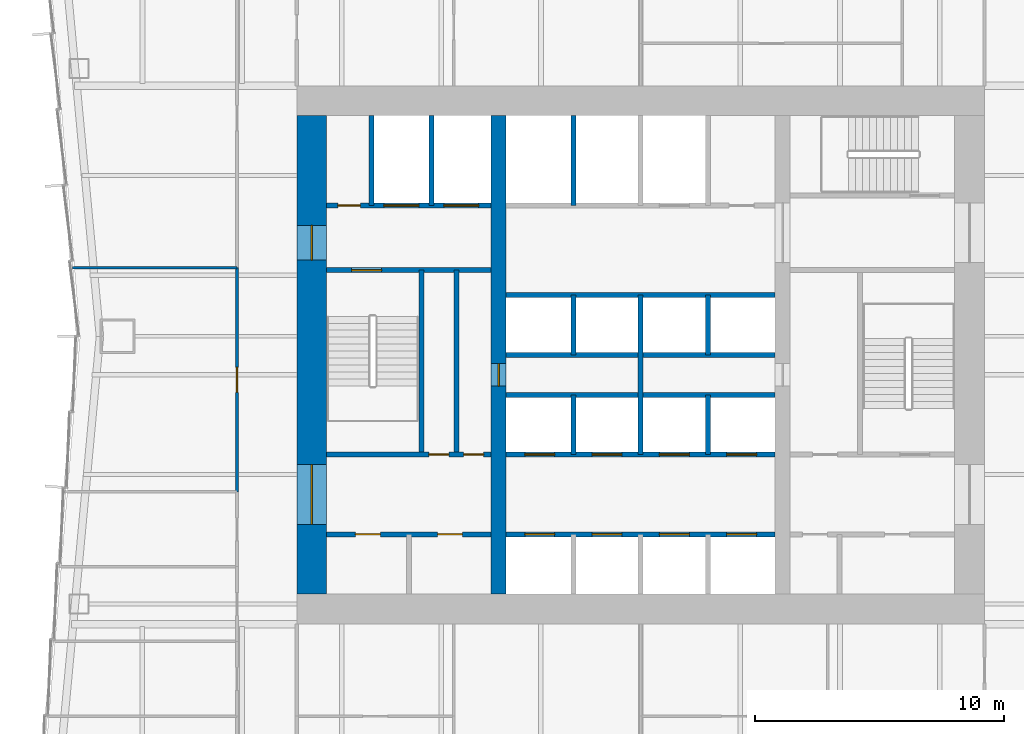
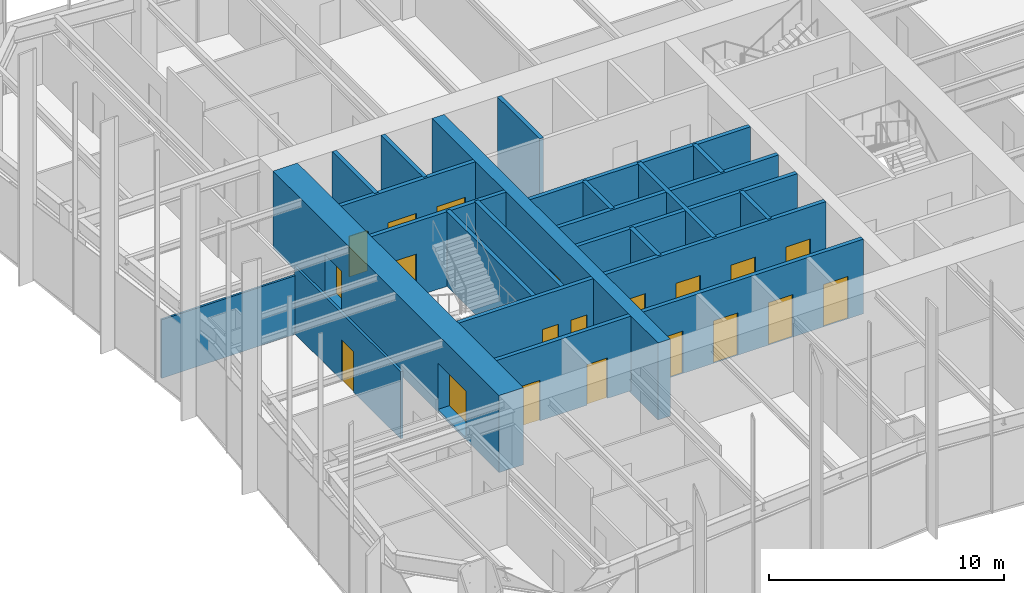
# One storey, part 9 of 13: 23 walls, 20 doors, 20 openings.
"""IFC4 building model written with IfcOpenShell, lengths in metres."""

from ifc_helpers import new_model, si_unit, direction, frame, frame_2d, origin, place, context, subcontext, project, spatial, rectangle, extrude, material, layer, layer_set, type_object, element, fill, save


model = new_model("IFC4")

# Units and contexts
model_context = context("Model", 3, precision=1e-05, world=origin(), true_north=direction((0.0, 1.0)))
body_context = subcontext(model_context, "Body", "Model", "MODEL_VIEW")
ifc_project = project(units=[si_unit("LENGTHUNIT", "METRE"), si_unit("AREAUNIT", "SQUARE_METRE"), si_unit("VOLUMEUNIT", "CUBIC_METRE"), si_unit("PLANEANGLEUNIT", "RADIAN"), si_unit("MASSUNIT", "GRAM", prefix="KILO")], contexts=[model_context])

# Site, building, storey
site_placement = place(None, origin())
site = spatial("IfcSite", under=ifc_project, at=site_placement, CompositionType="ELEMENT")
building_placement = place(site_placement, origin())
building = spatial("IfcBuilding", under=site, at=building_placement, Name="Verdant Reach Tower", CompositionType="ELEMENT")
storey_placement = place(building_placement, frame((0.0, 0.0, 94.0)))
storey = spatial("IfcBuildingStorey", under=building, at=storey_placement, Name="L21", CompositionType="ELEMENT", Elevation=94.0)

# Wall, openings, doors
ifc_material_1 = material(Name="Gypsum board on steel studs", Category="steel")
ifc_layer_1 = layer(ifc_material_1, 0.199951171875)
ifc_layer_set_1 = layer_set([ifc_layer_1], Name="CO-WALL-ROOM")
wall_type_1 = type_object("IfcWallType", Name="CO-WALL-ROOM", PredefinedType="PARTITIONING", material=ifc_layer_set_1)
wall_1_placement = place(storey_placement, frame((-12.60009765625, 20.800048828125, 0.0), z_axis=(0.0, 0.0, 1.0), x_axis=(1.0, 0.0, 0.0)))
wall_1 = element("IfcWall", 1, at=wall_1_placement, inside=storey, type_object=wall_type_1, Name="Core partition, L21", PredefinedType="PARTITIONING", context=body_context, shape_type="SweptSolid", body=[
    extrude(rectangle(XDim=6.60009765625, YDim=0.199951171875, at=frame_2d((3.300048828125, 0.0))), origin(), (0.0, 0.0, 1.0), 3.8701171875),
])
opening_1_placement = place(wall_1_placement, frame((1.14990234375, 0.0, 0.0)))
opening_1 = element("IfcOpeningElement", 2, at=opening_1_placement, cuts=wall_1, Name="Opening CD", PredefinedType="OPENING", context=body_context, shape_type="SweptSolid", body=[
    extrude(rectangle(XDim=1.0, YDim=2.10009765625, at=frame_2d((0.5, 1.050048828125))), frame((0.0, 0.10986328125, 0.0), z_axis=(0.0, -1.0, 0.0), x_axis=(1.0, 0.0, 0.0)), (0.0, 0.0, 1.0), 0.219970703125),
])
opening_2_placement = place(wall_1_placement, frame((4.449951171875, 0.0, 0.0)))
opening_2 = element("IfcOpeningElement", 3, at=opening_2_placement, cuts=wall_1, Name="Opening CD", PredefinedType="OPENING", context=body_context, shape_type="SweptSolid", body=[
    extrude(rectangle(XDim=1.0, YDim=2.10009765625, at=frame_2d((0.5, 1.050048828125))), frame((0.0, 0.10986328125, 0.0), z_axis=(0.0, -1.0, 0.0), x_axis=(1.0, 0.0, 0.0)), (0.0, 0.0, 1.0), 0.219970703125),
])
ifc_material_2 = material(Name="Timber", Category="wood")
door_type_1 = type_object("IfcDoorType", Name="CO-DOOR-ROOM", OperationType="NOTDEFINED", PredefinedType="DOOR", material=ifc_material_2)
door_1_placement = place(opening_1_placement, origin())
door_1 = element("IfcDoor", 4, at=door_1_placement, inside=storey, type_object=door_type_1, Name="Core room door, L21", OperationType="SINGLE_SWING_LEFT", OverallHeight=2.10009765625, OverallWidth=1.0, PredefinedType="DOOR", context=body_context, shape_type="SweptSolid", body=[
    extrude(rectangle(XDim=1.0, YDim=2.10009765625, at=frame_2d((0.5, 1.050048828125))), frame((0.0, 0.02490234375, 0.0), z_axis=(0.0, -1.0, 0.0), x_axis=(1.0, 0.0, 0.0)), (0.0, 0.0, 1.0), 0.050048828125),
])
fill(opening_1, door_1)
door_2_placement = place(opening_2_placement, origin())
door_2 = element("IfcDoor", 5, at=door_2_placement, inside=storey, type_object=door_type_1, Name="Core room door, L21", OperationType="SINGLE_SWING_LEFT", OverallHeight=2.10009765625, OverallWidth=1.0, PredefinedType="DOOR", context=body_context, shape_type="SweptSolid", body=[
    extrude(rectangle(XDim=1.0, YDim=2.10009765625, at=frame_2d((0.5, 1.050048828125))), frame((0.0, 0.02490234375, 0.0), z_axis=(0.0, -1.0, 0.0), x_axis=(1.0, 0.0, 0.0)), (0.0, 0.0, 1.0), 0.050048828125),
])
fill(opening_2, door_2)

# Wall
wall_2_placement = place(storey_placement, frame((-7.39990234375, 24.0, 0.0), z_axis=(0.0, 0.0, 1.0), x_axis=(0.0, 1.0, 0.0)))
element("IfcWall", 6, at=wall_2_placement, inside=storey, type_object=wall_type_1, Name="Core partition, L21", PredefinedType="PARTITIONING", context=body_context, shape_type="SweptSolid", body=[
    extrude(rectangle(XDim=7.39990234375, YDim=0.199951171875, at=frame_2d((3.699951171875, 0.0))), origin(), (0.0, 0.0, 1.0), 3.8701171875),
])

# Wall, openings, doors
ifc_material_3 = material(Name="Concrete C40/50", Category="concrete")
ifc_layer_2 = layer(ifc_material_3, 0.199951171875)
ifc_layer_set_2 = layer_set([ifc_layer_2], Name="CO-WALL-SHAFT")
wall_type_2 = type_object("IfcWallType", Name="CO-WALL-SHAFT", PredefinedType="PARTITIONING", material=ifc_layer_set_2)
wall_3_placement = place(storey_placement, frame((-5.39990234375, 20.800048828125, 0.0), z_axis=(0.0, 0.0, 1.0), x_axis=(1.0, 0.0, 0.0)))
wall_3 = element("IfcWall", 7, at=wall_3_placement, inside=storey, type_object=wall_type_2, Name="Lift shaft wall, L21", PredefinedType="PARTITIONING", context=body_context, shape_type="SweptSolid", body=[
    extrude(rectangle(XDim=10.7998046875, YDim=0.199951171875, at=frame_2d((5.39990234375, 0.0))), origin(), (0.0, 0.0, 1.0), 3.8701171875),
])
opening_3_placement = place(wall_3_placement, frame((0.75, 0.0, 0.0)))
opening_3 = element("IfcOpeningElement", 8, at=opening_3_placement, cuts=wall_3, Name="Opening LD-A1", PredefinedType="OPENING", context=body_context, shape_type="SweptSolid", body=[
    extrude(rectangle(XDim=1.199951171875, YDim=2.199951171875, at=frame_2d((0.60009765625, 1.10009765625))), frame((0.0, 0.10986328125, 0.0), z_axis=(0.0, -1.0, 0.0), x_axis=(1.0, 0.0, 0.0)), (0.0, 0.0, 1.0), 0.219970703125),
])
opening_4_placement = place(wall_3_placement, frame((3.449951171875, 0.0, 0.0)))
opening_4 = element("IfcOpeningElement", 9, at=opening_4_placement, cuts=wall_3, Name="Opening LD-A2", PredefinedType="OPENING", context=body_context, shape_type="SweptSolid", body=[
    extrude(rectangle(XDim=1.199951171875, YDim=2.199951171875, at=frame_2d((0.60009765625, 1.10009765625))), frame((0.0, 0.10986328125, 0.0), z_axis=(0.0, -1.0, 0.0), x_axis=(1.0, 0.0, 0.0)), (0.0, 0.0, 1.0), 0.219970703125),
])
opening_5_placement = place(wall_3_placement, frame((6.14990234375, 0.0, 0.0)))
opening_5 = element("IfcOpeningElement", 10, at=opening_5_placement, cuts=wall_3, Name="Opening LD-A3", PredefinedType="OPENING", context=body_context, shape_type="SweptSolid", body=[
    extrude(rectangle(XDim=1.199951171875, YDim=2.199951171875, at=frame_2d((0.60009765625, 1.10009765625))), frame((0.0, 0.10986328125, 0.0), z_axis=(0.0, -1.0, 0.0), x_axis=(1.0, 0.0, 0.0)), (0.0, 0.0, 1.0), 0.219970703125),
])
opening_6_placement = place(wall_3_placement, frame((8.85009765625, 0.0, 0.0)))
opening_6 = element("IfcOpeningElement", 11, at=opening_6_placement, cuts=wall_3, Name="Opening LD-A4", PredefinedType="OPENING", context=body_context, shape_type="SweptSolid", body=[
    extrude(rectangle(XDim=1.199951171875, YDim=2.199951171875, at=frame_2d((0.60009765625, 1.10009765625))), frame((0.0, 0.10986328125, 0.0), z_axis=(0.0, -1.0, 0.0), x_axis=(1.0, 0.0, 0.0)), (0.0, 0.0, 1.0), 0.219970703125),
])
ifc_material_4 = material(Name="Stainless steel", Category="steel")
door_type_2 = type_object("IfcDoorType", Name="CO-DOOR-LANDING", OperationType="SLIDING_TO_LEFT", PredefinedType="DOOR", material=ifc_material_4)
door_3_placement = place(opening_3_placement, origin())
door_3 = element("IfcDoor", 12, at=door_3_placement, inside=storey, type_object=door_type_2, Name="Landing door A1, L21", OperationType="SLIDING_TO_LEFT", OverallHeight=2.199951171875, OverallWidth=1.199951171875, PredefinedType="DOOR", context=body_context, shape_type="SweptSolid", body=[
    extrude(rectangle(XDim=1.199951171875, YDim=2.199951171875, at=frame_2d((0.60009765625, 1.10009765625))), frame((0.0, 0.02490234375, 0.0), z_axis=(0.0, -1.0, 0.0), x_axis=(1.0, 0.0, 0.0)), (0.0, 0.0, 1.0), 0.050048828125),
])
fill(opening_3, door_3)
door_4_placement = place(opening_4_placement, origin())
door_4 = element("IfcDoor", 13, at=door_4_placement, inside=storey, type_object=door_type_2, Name="Landing door A2, L21", OperationType="SLIDING_TO_LEFT", OverallHeight=2.199951171875, OverallWidth=1.199951171875, PredefinedType="DOOR", context=body_context, shape_type="SweptSolid", body=[
    extrude(rectangle(XDim=1.199951171875, YDim=2.199951171875, at=frame_2d((0.60009765625, 1.10009765625))), frame((0.0, 0.02490234375, 0.0), z_axis=(0.0, -1.0, 0.0), x_axis=(1.0, 0.0, 0.0)), (0.0, 0.0, 1.0), 0.050048828125),
])
fill(opening_4, door_4)
door_5_placement = place(opening_5_placement, origin())
door_5 = element("IfcDoor", 14, at=door_5_placement, inside=storey, type_object=door_type_2, Name="Landing door A3, L21", OperationType="SLIDING_TO_LEFT", OverallHeight=2.199951171875, OverallWidth=1.199951171875, PredefinedType="DOOR", context=body_context, shape_type="SweptSolid", body=[
    extrude(rectangle(XDim=1.199951171875, YDim=2.199951171875, at=frame_2d((0.60009765625, 1.10009765625))), frame((0.0, 0.02490234375, 0.0), z_axis=(0.0, -1.0, 0.0), x_axis=(1.0, 0.0, 0.0)), (0.0, 0.0, 1.0), 0.050048828125),
])
fill(opening_5, door_5)
door_6_placement = place(opening_6_placement, origin())
door_6 = element("IfcDoor", 15, at=door_6_placement, inside=storey, type_object=door_type_2, Name="Landing door A4, L21", OperationType="SLIDING_TO_LEFT", OverallHeight=2.199951171875, OverallWidth=1.199951171875, PredefinedType="DOOR", context=body_context, shape_type="SweptSolid", body=[
    extrude(rectangle(XDim=1.199951171875, YDim=2.199951171875, at=frame_2d((0.60009765625, 1.10009765625))), frame((0.0, 0.02490234375, 0.0), z_axis=(0.0, -1.0, 0.0), x_axis=(1.0, 0.0, 0.0)), (0.0, 0.0, 1.0), 0.050048828125),
])
fill(opening_6, door_6)

wall_4_placement = place(storey_placement, frame((-5.39990234375, 24.0, 0.0), z_axis=(0.0, 0.0, 1.0), x_axis=(1.0, 0.0, 0.0)))
wall_4 = element("IfcWall", 16, at=wall_4_placement, inside=storey, type_object=wall_type_2, Name="Lift shaft wall, L21", PredefinedType="PARTITIONING", context=body_context, shape_type="SweptSolid", body=[
    extrude(rectangle(XDim=10.7998046875, YDim=0.199951171875, at=frame_2d((5.39990234375, 0.0))), origin(), (0.0, 0.0, 1.0), 3.8701171875),
])
opening_7_placement = place(wall_4_placement, frame((0.75, 0.0, 0.0)))
opening_7 = element("IfcOpeningElement", 17, at=opening_7_placement, cuts=wall_4, Name="Opening LD-A5", PredefinedType="OPENING", context=body_context, shape_type="SweptSolid", body=[
    extrude(rectangle(XDim=1.199951171875, YDim=2.199951171875, at=frame_2d((0.60009765625, 1.10009765625))), frame((0.0, 0.10986328125, 0.0), z_axis=(0.0, -1.0, 0.0), x_axis=(1.0, 0.0, 0.0)), (0.0, 0.0, 1.0), 0.219970703125),
])
opening_8_placement = place(wall_4_placement, frame((3.449951171875, 0.0, 0.0)))
opening_8 = element("IfcOpeningElement", 18, at=opening_8_placement, cuts=wall_4, Name="Opening LD-A6", PredefinedType="OPENING", context=body_context, shape_type="SweptSolid", body=[
    extrude(rectangle(XDim=1.199951171875, YDim=2.199951171875, at=frame_2d((0.60009765625, 1.10009765625))), frame((0.0, 0.10986328125, 0.0), z_axis=(0.0, -1.0, 0.0), x_axis=(1.0, 0.0, 0.0)), (0.0, 0.0, 1.0), 0.219970703125),
])
opening_9_placement = place(wall_4_placement, frame((6.14990234375, 0.0, 0.0)))
opening_9 = element("IfcOpeningElement", 19, at=opening_9_placement, cuts=wall_4, Name="Opening LD-A7", PredefinedType="OPENING", context=body_context, shape_type="SweptSolid", body=[
    extrude(rectangle(XDim=1.199951171875, YDim=2.199951171875, at=frame_2d((0.60009765625, 1.10009765625))), frame((0.0, 0.10986328125, 0.0), z_axis=(0.0, -1.0, 0.0), x_axis=(1.0, 0.0, 0.0)), (0.0, 0.0, 1.0), 0.219970703125),
])
opening_10_placement = place(wall_4_placement, frame((8.85009765625, 0.0, 0.0)))
opening_10 = element("IfcOpeningElement", 20, at=opening_10_placement, cuts=wall_4, Name="Opening LD-A8", PredefinedType="OPENING", context=body_context, shape_type="SweptSolid", body=[
    extrude(rectangle(XDim=1.199951171875, YDim=2.199951171875, at=frame_2d((0.60009765625, 1.10009765625))), frame((0.0, 0.10986328125, 0.0), z_axis=(0.0, -1.0, 0.0), x_axis=(1.0, 0.0, 0.0)), (0.0, 0.0, 1.0), 0.219970703125),
])
door_7_placement = place(opening_7_placement, origin())
door_7 = element("IfcDoor", 21, at=door_7_placement, inside=storey, type_object=door_type_2, Name="Landing door A5, L21", OperationType="SLIDING_TO_LEFT", OverallHeight=2.199951171875, OverallWidth=1.199951171875, PredefinedType="DOOR", context=body_context, shape_type="SweptSolid", body=[
    extrude(rectangle(XDim=1.199951171875, YDim=2.199951171875, at=frame_2d((0.60009765625, 1.10009765625))), frame((0.0, 0.02490234375, 0.0), z_axis=(0.0, -1.0, 0.0), x_axis=(1.0, 0.0, 0.0)), (0.0, 0.0, 1.0), 0.050048828125),
])
fill(opening_7, door_7)
door_8_placement = place(opening_8_placement, origin())
door_8 = element("IfcDoor", 22, at=door_8_placement, inside=storey, type_object=door_type_2, Name="Landing door A6, L21", OperationType="SLIDING_TO_LEFT", OverallHeight=2.199951171875, OverallWidth=1.199951171875, PredefinedType="DOOR", context=body_context, shape_type="SweptSolid", body=[
    extrude(rectangle(XDim=1.199951171875, YDim=2.199951171875, at=frame_2d((0.60009765625, 1.10009765625))), frame((0.0, 0.02490234375, 0.0), z_axis=(0.0, -1.0, 0.0), x_axis=(1.0, 0.0, 0.0)), (0.0, 0.0, 1.0), 0.050048828125),
])
fill(opening_8, door_8)
door_9_placement = place(opening_9_placement, origin())
door_9 = element("IfcDoor", 23, at=door_9_placement, inside=storey, type_object=door_type_2, Name="Landing door A7, L21", OperationType="SLIDING_TO_LEFT", OverallHeight=2.199951171875, OverallWidth=1.199951171875, PredefinedType="DOOR", context=body_context, shape_type="SweptSolid", body=[
    extrude(rectangle(XDim=1.199951171875, YDim=2.199951171875, at=frame_2d((0.60009765625, 1.10009765625))), frame((0.0, 0.02490234375, 0.0), z_axis=(0.0, -1.0, 0.0), x_axis=(1.0, 0.0, 0.0)), (0.0, 0.0, 1.0), 0.050048828125),
])
fill(opening_9, door_9)
door_10_placement = place(opening_10_placement, origin())
door_10 = element("IfcDoor", 24, at=door_10_placement, inside=storey, type_object=door_type_2, Name="Landing door A8, L21", OperationType="SLIDING_TO_LEFT", OverallHeight=2.199951171875, OverallWidth=1.199951171875, PredefinedType="DOOR", context=body_context, shape_type="SweptSolid", body=[
    extrude(rectangle(XDim=1.199951171875, YDim=2.199951171875, at=frame_2d((0.60009765625, 1.10009765625))), frame((0.0, 0.02490234375, 0.0), z_axis=(0.0, -1.0, 0.0), x_axis=(1.0, 0.0, 0.0)), (0.0, 0.0, 1.0), 0.050048828125),
])
fill(opening_10, door_10)

# Walls
for number, where, z_axis, x_axis, name in (
    (25, (-5.39990234375, 26.39990234375, 0.0), (0.0, 0.0, 1.0), (1.0, 0.0, 0.0), "Lift shaft wall, L21"),
    (26, (-5.39990234375, 28.0, 0.0), (0.0, 0.0, 1.0), (1.0, 0.0, 0.0), "Lift shaft wall, L21"),
    (27, (-5.39990234375, 30.39990234375, 0.0), (0.0, 0.0, 1.0), (1.0, 0.0, 0.0), "Lift shaft wall, L21"),
):
    element("IfcWall", number, at=place(storey_placement, frame(where, z_axis=z_axis, x_axis=x_axis)), inside=storey, type_object=wall_type_2, Name=name, PredefinedType="PARTITIONING", context=body_context, shape_type="SweptSolid", body=[
        extrude(rectangle(XDim=10.7998046875, YDim=0.199951171875, at=frame_2d((5.39990234375, 0.0))), origin(), (0.0, 0.0, 1.0), 3.8701171875),
    ])

# Wall, openings, doors
wall_5_placement = place(storey_placement, frame((-12.60009765625, 34.0, 0.0), z_axis=(0.0, 0.0, 1.0), x_axis=(1.0, 0.0, 0.0)))
wall_5 = element("IfcWall", 28, at=wall_5_placement, inside=storey, type_object=wall_type_2, Name="Lift shaft wall, L21", PredefinedType="PARTITIONING", context=body_context, shape_type="SweptSolid", body=[
    extrude(rectangle(XDim=6.60009765625, YDim=0.199951171875, at=frame_2d((3.300048828125, 0.0))), origin(), (0.0, 0.0, 1.0), 3.8701171875),
])
opening_11_placement = place(wall_5_placement, frame((4.699951171875, 0.0, 0.0)))
opening_11 = element("IfcOpeningElement", 29, at=opening_11_placement, cuts=wall_5, Name="Opening LD-F1", PredefinedType="OPENING", context=body_context, shape_type="SweptSolid", body=[
    extrude(rectangle(XDim=1.39990234375, YDim=2.199951171875, at=frame_2d((0.699951171875, 1.10009765625))), frame((0.0, 0.10986328125, 0.0), z_axis=(0.0, -1.0, 0.0), x_axis=(1.0, 0.0, 0.0)), (0.0, 0.0, 1.0), 0.219970703125),
])
opening_12_placement = place(wall_5_placement, frame((2.300048828125, 0.0, 0.0)))
opening_12 = element("IfcOpeningElement", 30, at=opening_12_placement, cuts=wall_5, Name="Opening LD-F2", PredefinedType="OPENING", context=body_context, shape_type="SweptSolid", body=[
    extrude(rectangle(XDim=1.39990234375, YDim=2.199951171875, at=frame_2d((0.699951171875, 1.10009765625))), frame((0.0, 0.10986328125, 0.0), z_axis=(0.0, -1.0, 0.0), x_axis=(1.0, 0.0, 0.0)), (0.0, 0.0, 1.0), 0.219970703125),
])
opening_13_placement = place(wall_5_placement, frame((0.449951171875, 0.0, 0.0)))
opening_13 = element("IfcOpeningElement", 31, at=opening_13_placement, cuts=wall_5, Name="Opening RD", PredefinedType="OPENING", context=body_context, shape_type="SweptSolid", body=[
    extrude(rectangle(XDim=0.89990234375, YDim=2.10009765625, at=frame_2d((0.449951171875, 1.050048828125))), frame((0.0, 0.10986328125, 0.0), z_axis=(0.0, -1.0, 0.0), x_axis=(1.0, 0.0, 0.0)), (0.0, 0.0, 1.0), 0.219970703125),
])
door_type_3 = type_object("IfcDoorType", Name="CO-DOOR-LANDING-FF", OperationType="SLIDING_TO_LEFT", PredefinedType="DOOR", material=ifc_material_4)
door_11_placement = place(opening_11_placement, origin())
door_11 = element("IfcDoor", 32, at=door_11_placement, inside=storey, type_object=door_type_3, Name="Landing door F1, L21", OperationType="SLIDING_TO_LEFT", OverallHeight=2.199951171875, OverallWidth=1.39990234375, PredefinedType="DOOR", context=body_context, shape_type="SweptSolid", body=[
    extrude(rectangle(XDim=1.39990234375, YDim=2.199951171875, at=frame_2d((0.699951171875, 1.10009765625))), frame((0.0, 0.02490234375, 0.0), z_axis=(0.0, -1.0, 0.0), x_axis=(1.0, 0.0, 0.0)), (0.0, 0.0, 1.0), 0.050048828125),
])
fill(opening_11, door_11)
door_12_placement = place(opening_12_placement, origin())
door_12 = element("IfcDoor", 33, at=door_12_placement, inside=storey, type_object=door_type_3, Name="Landing door F2, L21", OperationType="SLIDING_TO_LEFT", OverallHeight=2.199951171875, OverallWidth=1.39990234375, PredefinedType="DOOR", context=body_context, shape_type="SweptSolid", body=[
    extrude(rectangle(XDim=1.39990234375, YDim=2.199951171875, at=frame_2d((0.699951171875, 1.10009765625))), frame((0.0, 0.02490234375, 0.0), z_axis=(0.0, -1.0, 0.0), x_axis=(1.0, 0.0, 0.0)), (0.0, 0.0, 1.0), 0.050048828125),
])
fill(opening_12, door_12)
ifc_material_5 = material(Name="Steel", Category="steel")
door_type_4 = type_object("IfcDoorType", Name="CO-DOOR-RISER", OperationType="NOTDEFINED", PredefinedType="DOOR", material=ifc_material_5)
door_13_placement = place(opening_13_placement, origin())
door_13 = element("IfcDoor", 34, at=door_13_placement, inside=storey, type_object=door_type_4, Name="Core room door, L21", OperationType="SINGLE_SWING_RIGHT", OverallHeight=2.10009765625, OverallWidth=0.89990234375, PredefinedType="DOOR", context=body_context, shape_type="SweptSolid", body=[
    extrude(rectangle(XDim=0.89990234375, YDim=2.10009765625, at=frame_2d((0.449951171875, 1.050048828125))), frame((0.0, 0.02490234375, 0.0), z_axis=(0.0, -1.0, 0.0), x_axis=(1.0, 0.0, 0.0)), (0.0, 0.0, 1.0), 0.050048828125),
])
fill(opening_13, door_13)

# Walls
for number, where, z_axis, x_axis, name in (
    (35, (-10.800048828125, 34.0, 0.0), (0.0, 0.0, 1.0), (0.0, 1.0, 0.0), "Lift shaft wall, L21"),
    (36, (-8.39990234375, 34.0, 0.0), (0.0, 0.0, 1.0), (0.0, 1.0, 0.0), "Lift shaft wall, L21"),
):
    element("IfcWall", number, at=place(storey_placement, frame(where, z_axis=z_axis, x_axis=x_axis)), inside=storey, type_object=wall_type_2, Name=name, PredefinedType="PARTITIONING", context=body_context, shape_type="SweptSolid", body=[
        extrude(rectangle(XDim=3.60009765625, YDim=0.199951171875, at=frame_2d((1.800048828125, 0.0))), origin(), (0.0, 0.0, 1.0), 3.8701171875),
    ])
for number, where, z_axis, x_axis, name in (
    (37, (-2.699951171875, 24.0, 0.0), (0.0, 0.0, 1.0), (0.0, 1.0, 0.0), "Lift shaft wall, L21"),
    (38, (-2.699951171875, 28.0, 0.0), (0.0, 0.0, 1.0), (0.0, 1.0, 0.0), "Lift shaft wall, L21"),
):
    element("IfcWall", number, at=place(storey_placement, frame(where, z_axis=z_axis, x_axis=x_axis)), inside=storey, type_object=wall_type_2, Name=name, PredefinedType="PARTITIONING", context=body_context, shape_type="SweptSolid", body=[
        extrude(rectangle(XDim=2.39990234375, YDim=0.199951171875, at=frame_2d((1.199951171875, 0.0))), origin(), (0.0, 0.0, 1.0), 3.8701171875),
    ])
wall_6_placement = place(storey_placement, frame((-2.699951171875, 34.0, 0.0), z_axis=(0.0, 0.0, 1.0), x_axis=(0.0, 1.0, 0.0)))
element("IfcWall", 39, at=wall_6_placement, inside=storey, type_object=wall_type_2, Name="Lift shaft wall, L21", PredefinedType="PARTITIONING", context=body_context, shape_type="SweptSolid", body=[
    extrude(rectangle(XDim=3.60009765625, YDim=0.199951171875, at=frame_2d((1.800048828125, 0.0))), origin(), (0.0, 0.0, 1.0), 3.8701171875),
])
wall_7_placement = place(storey_placement, frame((0.0, 24.0, 0.0), z_axis=(0.0, 0.0, 1.0), x_axis=(0.0, 1.0, 0.0)))
element("IfcWall", 40, at=wall_7_placement, inside=storey, type_object=wall_type_2, Name="Lift shaft wall, L21", PredefinedType="PARTITIONING", context=body_context, shape_type="SweptSolid", body=[
    extrude(rectangle(XDim=6.39990234375, YDim=0.199951171875, at=frame_2d((3.199951171875, 0.0))), origin(), (0.0, 0.0, 1.0), 3.8701171875),
])
for number, where, z_axis, x_axis, name in (
    (41, (2.699951171875, 24.0, 0.0), (0.0, 0.0, 1.0), (0.0, 1.0, 0.0), "Lift shaft wall, L21"),
    (42, (2.699951171875, 28.0, 0.0), (0.0, 0.0, 1.0), (0.0, 1.0, 0.0), "Lift shaft wall, L21"),
):
    element("IfcWall", number, at=place(storey_placement, frame(where, z_axis=z_axis, x_axis=x_axis)), inside=storey, type_object=wall_type_2, Name=name, PredefinedType="PARTITIONING", context=body_context, shape_type="SweptSolid", body=[
        extrude(rectangle(XDim=2.39990234375, YDim=0.199951171875, at=frame_2d((1.199951171875, 0.0))), origin(), (0.0, 0.0, 1.0), 3.8701171875),
    ])

# Wall, openings, doors
ifc_layer_3 = layer(ifc_material_3, 0.199951171875)
ifc_layer_set_3 = layer_set([ifc_layer_3], Name="CO-WALL-STAIR")
wall_type_3 = type_object("IfcWallType", Name="CO-WALL-STAIR", PredefinedType="PARTITIONING", material=ifc_layer_set_3)
wall_8_placement = place(storey_placement, frame((-12.60009765625, 24.0, 0.0), z_axis=(0.0, 0.0, 1.0), x_axis=(1.0, 0.0, 0.0)))
wall_8 = element("IfcWall", 43, at=wall_8_placement, inside=storey, type_object=wall_type_3, Name="Stair enclosure wall, L21", PredefinedType="PARTITIONING", context=body_context, shape_type="SweptSolid", body=[
    extrude(rectangle(XDim=6.60009765625, YDim=0.199951171875, at=frame_2d((3.300048828125, 0.0))), origin(), (0.0, 0.0, 1.0), 3.8701171875),
])
opening_14_placement = place(wall_8_placement, frame((4.10009765625, 0.0, 0.0)))
opening_14 = element("IfcOpeningElement", 44, at=opening_14_placement, cuts=wall_8, Name="Opening CDN", PredefinedType="OPENING", context=body_context, shape_type="SweptSolid", body=[
    extrude(rectangle(XDim=0.800048828125, YDim=2.10009765625, at=frame_2d((0.39990234375, 1.050048828125))), frame((0.0, 0.10986328125, 0.0), z_axis=(0.0, -1.0, 0.0), x_axis=(1.0, 0.0, 0.0)), (0.0, 0.0, 1.0), 0.219970703125),
])
opening_15_placement = place(wall_8_placement, frame((5.5, 0.0, 0.0)))
opening_15 = element("IfcOpeningElement", 45, at=opening_15_placement, cuts=wall_8, Name="Opening CDN", PredefinedType="OPENING", context=body_context, shape_type="SweptSolid", body=[
    extrude(rectangle(XDim=0.800048828125, YDim=2.10009765625, at=frame_2d((0.39990234375, 1.050048828125))), frame((0.0, 0.10986328125, 0.0), z_axis=(0.0, -1.0, 0.0), x_axis=(1.0, 0.0, 0.0)), (0.0, 0.0, 1.0), 0.219970703125),
])
door_type_5 = type_object("IfcDoorType", Name="CO-DOOR-ROOM-NARROW", OperationType="NOTDEFINED", PredefinedType="DOOR", material=ifc_material_2)
door_14_placement = place(opening_14_placement, origin())
door_14 = element("IfcDoor", 46, at=door_14_placement, inside=storey, type_object=door_type_5, Name="Core room door, L21", OperationType="SINGLE_SWING_LEFT", OverallHeight=2.10009765625, OverallWidth=0.800048828125, PredefinedType="DOOR", context=body_context, shape_type="SweptSolid", body=[
    extrude(rectangle(XDim=0.800048828125, YDim=2.10009765625, at=frame_2d((0.39990234375, 1.050048828125))), frame((0.0, 0.02490234375, 0.0), z_axis=(0.0, -1.0, 0.0), x_axis=(1.0, 0.0, 0.0)), (0.0, 0.0, 1.0), 0.050048828125),
])
fill(opening_14, door_14)
door_15_placement = place(opening_15_placement, origin())
door_15 = element("IfcDoor", 47, at=door_15_placement, inside=storey, type_object=door_type_5, Name="Core room door, L21", OperationType="SINGLE_SWING_RIGHT", OverallHeight=2.10009765625, OverallWidth=0.800048828125, PredefinedType="DOOR", context=body_context, shape_type="SweptSolid", body=[
    extrude(rectangle(XDim=0.800048828125, YDim=2.10009765625, at=frame_2d((0.39990234375, 1.050048828125))), frame((0.0, 0.02490234375, 0.0), z_axis=(0.0, -1.0, 0.0), x_axis=(1.0, 0.0, 0.0)), (0.0, 0.0, 1.0), 0.050048828125),
])
fill(opening_15, door_15)

# Wall, opening, door
wall_9_placement = place(storey_placement, frame((-12.60009765625, 31.39990234375, 0.0), z_axis=(0.0, 0.0, 1.0), x_axis=(1.0, 0.0, 0.0)))
wall_9 = element("IfcWall", 48, at=wall_9_placement, inside=storey, type_object=wall_type_3, Name="Stair enclosure wall, L21", PredefinedType="PARTITIONING", context=body_context, shape_type="SweptSolid", body=[
    extrude(rectangle(XDim=6.60009765625, YDim=0.199951171875, at=frame_2d((3.300048828125, 0.0))), origin(), (0.0, 0.0, 1.0), 3.8701171875),
])
opening_16_placement = place(wall_9_placement, frame((1.0, 0.0, 0.0)))
opening_16 = element("IfcOpeningElement", 49, at=opening_16_placement, cuts=wall_9, Name="Opening SD", PredefinedType="OPENING", context=body_context, shape_type="SweptSolid", body=[
    extrude(rectangle(XDim=1.199951171875, YDim=2.199951171875, at=frame_2d((0.60009765625, 1.10009765625))), frame((0.0, 0.10986328125, 0.0), z_axis=(0.0, -1.0, 0.0), x_axis=(1.0, 0.0, 0.0)), (0.0, 0.0, 1.0), 0.219970703125),
])
door_type_6 = type_object("IfcDoorType", Name="CO-DOOR-STAIR", OperationType="NOTDEFINED", PredefinedType="DOOR", material=ifc_material_5)
door_16_placement = place(opening_16_placement, origin())
door_16 = element("IfcDoor", 50, at=door_16_placement, inside=storey, type_object=door_type_6, Name="Stair door, L21", OperationType="SINGLE_SWING_RIGHT", OverallHeight=2.199951171875, OverallWidth=1.199951171875, PredefinedType="DOOR", context=body_context, shape_type="SweptSolid", body=[
    extrude(rectangle(XDim=1.199951171875, YDim=2.199951171875, at=frame_2d((0.60009765625, 1.10009765625))), frame((0.0, 0.02490234375, 0.0), z_axis=(0.0, -1.0, 0.0), x_axis=(1.0, 0.0, 0.0)), (0.0, 0.0, 1.0), 0.050048828125),
])
fill(opening_16, door_16)

# Walls
wall_10_placement = place(storey_placement, frame((-8.800048828125, 24.0, 0.0), z_axis=(0.0, 0.0, 1.0), x_axis=(0.0, 1.0, 0.0)))
element("IfcWall", 51, at=wall_10_placement, inside=storey, type_object=wall_type_3, Name="Stair enclosure wall, L21", PredefinedType="PARTITIONING", context=body_context, shape_type="SweptSolid", body=[
    extrude(rectangle(XDim=7.39990234375, YDim=0.199951171875, at=frame_2d((3.699951171875, 0.0))), origin(), (0.0, 0.0, 1.0), 3.8701171875),
])
ifc_layer_4 = layer(ifc_material_1, 0.10009765625)
ifc_layer_set_4 = layer_set([ifc_layer_4], Name="FL-W1 Partition 100")
wall_type_4 = type_object("IfcWallType", Name="FL-W1 Partition 100", PredefinedType="PARTITIONING", material=ifc_layer_set_4)
wall_11_placement = place(storey_placement, frame((-16.199951171875, 31.5, 0.0), z_axis=(0.0, 0.0, 1.0), x_axis=(-1.0, 0.0, 0.0)))
element("IfcWall", 52, at=wall_11_placement, inside=storey, type_object=wall_type_4, Name="Partition 21.29", PredefinedType="PARTITIONING", context=body_context, shape_type="SweptSolid", body=[
    extrude(rectangle(XDim=6.60595703125, YDim=0.10009765625, at=frame_2d((3.302978515625, 0.0))), origin(), (0.0, 0.0, 1.0), 3.0400390625),
])

# Wall, opening, door
ifc_material_6 = material(Name="Gypsum board on steel studs, fire rated", Category="steel")
ifc_layer_5 = layer(ifc_material_6, 0.125)
ifc_layer_set_5 = layer_set([ifc_layer_5], Name="FL-W2 Corridor wall 125")
wall_type_5 = type_object("IfcWallType", Name="FL-W2 Corridor wall 125", PredefinedType="PARTITIONING", material=ifc_layer_set_5)
wall_12_placement = place(storey_placement, frame((-16.199951171875, 22.5, 0.0), z_axis=(0.0, 0.0, 1.0), x_axis=(0.0, 1.0, 0.0)))
wall_12 = element("IfcWall", 53, at=wall_12_placement, inside=storey, type_object=wall_type_5, Name="Partition 21.05", PredefinedType="PARTITIONING", context=body_context, shape_type="SweptSolid", body=[
    extrude(rectangle(XDim=9.0, YDim=0.125, at=frame_2d((4.5, 0.0))), origin(), (0.0, 0.0, 1.0), 3.47998046875),
])
opening_17_placement = place(wall_12_placement, frame((4.0, 0.0, 0.0)))
opening_17 = element("IfcOpeningElement", 54, at=opening_17_placement, cuts=wall_12, Name="Opening D2", PredefinedType="OPENING", context=body_context, shape_type="SweptSolid", body=[
    extrude(rectangle(XDim=1.0, YDim=2.10009765625, at=frame_2d((0.5, 1.050048828125))), frame((0.0, 0.072509765625, 0.0), z_axis=(0.0, -1.0, 0.0), x_axis=(1.0, 0.0, 0.0)), (0.0, 0.0, 1.0), 0.14501953125),
])
ifc_material_7 = material(Name="Timber door leaf, fire rated", Category="wood")
door_type_7 = type_object("IfcDoorType", Name="FL-D2 Entrance door 1000x2100 FD30", OperationType="NOTDEFINED", PredefinedType="DOOR", material=ifc_material_7)
door_17_placement = place(opening_17_placement, origin())
door_17 = element("IfcDoor", 55, at=door_17_placement, inside=storey, type_object=door_type_7, Name="Door 21-005", OperationType="SINGLE_SWING_LEFT", OverallHeight=2.10009765625, OverallWidth=1.0, PredefinedType="DOOR", context=body_context, shape_type="SweptSolid", body=[
    extrude(rectangle(XDim=1.0, YDim=2.10009765625, at=frame_2d((0.5, 1.050048828125))), frame((0.0, 0.02490234375, 0.0), z_axis=(0.0, -1.0, 0.0), x_axis=(1.0, 0.0, 0.0)), (0.0, 0.0, 1.0), 0.050048828125),
])
fill(opening_17, door_17)

# Wall, openings, doors
ifc_material_8 = material(Name="Concrete C70/85", Category="concrete")
ifc_layer_6 = layer(ifc_material_8, 1.199951171875)
ifc_layer_set_6 = layer_set([ifc_layer_6], Name="ST-CORE-WALL-1200")
wall_type_6 = type_object("IfcWallType", Name="ST-CORE-WALL-1200", PredefinedType="SHEAR", material=ifc_layer_set_6)
wall_13_placement = place(storey_placement, frame((-13.199951171875, 18.39990234375, -0.1298828125), z_axis=(0.0, 0.0, 1.0), x_axis=(0.0, 1.0, 0.0)))
wall_13 = element("IfcWall", 56, at=wall_13_placement, inside=storey, type_object=wall_type_6, Name="Core wall W, L21", PredefinedType="SHEAR", context=body_context, shape_type="SweptSolid", body=[
    extrude(rectangle(XDim=19.2001953125, YDim=1.199951171875, at=frame_2d((9.60009765625, 0.0))), origin(), (0.0, 0.0, 1.0), 4.0),
])
opening_18_placement = place(wall_13_placement, frame((2.800048828125, 0.0, 0.1298828125)))
opening_18 = element("IfcOpeningElement", 57, at=opening_18_placement, cuts=wall_13, Name="Opening LB", PredefinedType="OPENING", context=body_context, shape_type="SweptSolid", body=[
    extrude(rectangle(XDim=2.39990234375, YDim=2.39990234375, at=frame_2d((1.199951171875, 1.199951171875))), frame((0.0, 0.60986328125, 0.0), z_axis=(0.0, -1.0, 0.0), x_axis=(1.0, 0.0, 0.0)), (0.0, 0.0, 1.0), 1.219970703125),
])
opening_19_placement = place(wall_13_placement, frame((13.39990234375, 0.0, 0.1298828125)))
opening_19 = element("IfcOpeningElement", 58, at=opening_19_placement, cuts=wall_13, Name="Opening FL", PredefinedType="OPENING", context=body_context, shape_type="SweptSolid", body=[
    extrude(rectangle(XDim=1.39990234375, YDim=2.199951171875, at=frame_2d((0.699951171875, 1.10009765625))), frame((0.0, 0.60986328125, 0.0), z_axis=(0.0, -1.0, 0.0), x_axis=(1.0, 0.0, 0.0)), (0.0, 0.0, 1.0), 1.219970703125),
])
door_type_8 = type_object("IfcDoorType", Name="CO-DOOR-FFL", OperationType="NOTDEFINED", PredefinedType="DOOR", material=ifc_material_5)
door_18_placement = place(opening_19_placement, origin())
door_18 = element("IfcDoor", 59, at=door_18_placement, inside=storey, type_object=door_type_8, Name="Core entrance door, L21", OperationType="SINGLE_SWING_RIGHT", OverallHeight=2.199951171875, OverallWidth=1.39990234375, PredefinedType="DOOR", context=body_context, shape_type="SweptSolid", body=[
    extrude(rectangle(XDim=1.39990234375, YDim=2.199951171875, at=frame_2d((0.699951171875, 1.10009765625))), frame((0.0, 0.02490234375, 0.0), z_axis=(0.0, -1.0, 0.0), x_axis=(1.0, 0.0, 0.0)), (0.0, 0.0, 1.0), 0.050048828125),
])
fill(opening_19, door_18)
ifc_material_9 = material(Name="Glass and steel", Category="steel")
door_type_9 = type_object("IfcDoorType", Name="CO-DOOR-LOBBY", OperationType="DOUBLE_DOOR_SINGLE_SWING", PredefinedType="DOOR", material=ifc_material_9)
door_19_placement = place(opening_18_placement, origin())
door_19 = element("IfcDoor", 60, at=door_19_placement, inside=storey, type_object=door_type_9, Name="Core entrance door, L21", OperationType="DOUBLE_DOOR_SINGLE_SWING", OverallHeight=2.39990234375, OverallWidth=2.39990234375, PredefinedType="DOOR", context=body_context, shape_type="SweptSolid", body=[
    extrude(rectangle(XDim=2.39990234375, YDim=2.39990234375, at=frame_2d((1.199951171875, 1.199951171875))), frame((0.0, 0.02490234375, 0.0), z_axis=(0.0, -1.0, 0.0), x_axis=(1.0, 0.0, 0.0)), (0.0, 0.0, 1.0), 0.050048828125),
])
fill(opening_18, door_19)

# Wall, opening, door
ifc_layer_7 = layer(ifc_material_8, 0.60009765625)
ifc_layer_set_7 = layer_set([ifc_layer_7], Name="ST-CORE-WALL-600")
wall_type_7 = type_object("IfcWallType", Name="ST-CORE-WALL-600", PredefinedType="SHEAR", material=ifc_layer_set_7)
wall_14_placement = place(storey_placement, frame((-5.699951171875, 18.39990234375, -0.1298828125), z_axis=(0.0, 0.0, 1.0), x_axis=(0.0, 1.0, 0.0)))
wall_14 = element("IfcWall", 61, at=wall_14_placement, inside=storey, type_object=wall_type_7, Name="Core wall XW, L21", PredefinedType="SHEAR", context=body_context, shape_type="SweptSolid", body=[
    extrude(rectangle(XDim=19.2001953125, YDim=0.60009765625, at=frame_2d((9.60009765625, 0.0))), origin(), (0.0, 0.0, 1.0), 4.0),
])
opening_20_placement = place(wall_14_placement, frame((8.35009765625, 0.0, 0.1298828125)))
opening_20 = element("IfcOpeningElement", 62, at=opening_20_placement, cuts=wall_14, Name="Opening RD", PredefinedType="OPENING", context=body_context, shape_type="SweptSolid", body=[
    extrude(rectangle(XDim=0.89990234375, YDim=2.10009765625, at=frame_2d((0.449951171875, 1.050048828125))), frame((0.0, 0.31005859375, 0.0), z_axis=(0.0, -1.0, 0.0), x_axis=(1.0, 0.0, 0.0)), (0.0, 0.0, 1.0), 0.6201171875),
])
door_20_placement = place(opening_20_placement, origin())
door_20 = element("IfcDoor", 63, at=door_20_placement, inside=storey, type_object=door_type_4, Name="Riser door, L21", OperationType="SINGLE_SWING_LEFT", OverallHeight=2.10009765625, OverallWidth=0.89990234375, PredefinedType="DOOR", context=body_context, shape_type="SweptSolid", body=[
    extrude(rectangle(XDim=0.89990234375, YDim=2.10009765625, at=frame_2d((0.449951171875, 1.050048828125))), frame((0.0, 0.02490234375, 0.0), z_axis=(0.0, -1.0, 0.0), x_axis=(1.0, 0.0, 0.0)), (0.0, 0.0, 1.0), 0.050048828125),
])
fill(opening_20, door_20)

save(model, "model.ifc")
